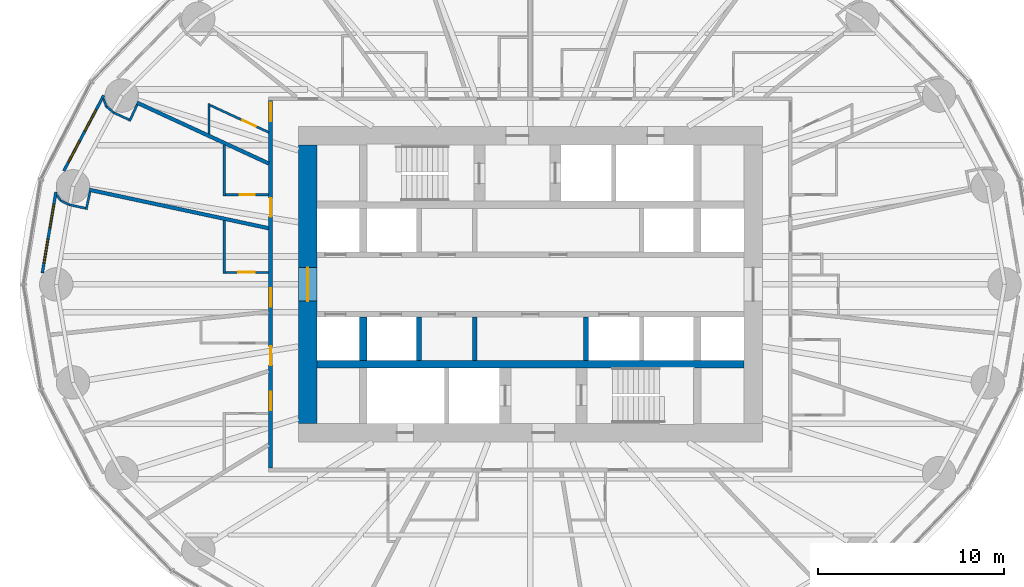
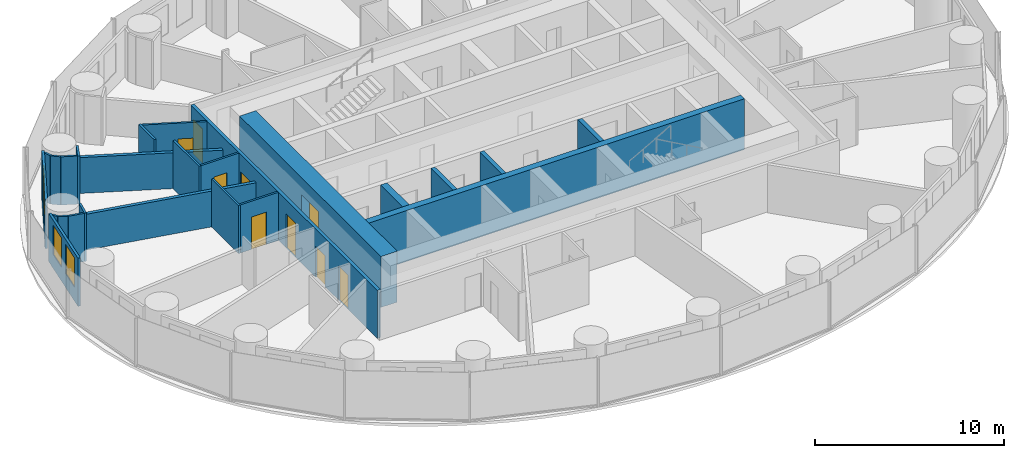
# One storey, part 7 of 13: 25 walls, 9 doors, 4 windows, 13 openings.
"""IFC4 building model written with IfcOpenShell, lengths in metres."""

import ifcopenshell
import ifcopenshell.guid

model = None  # the IFC model being written
_history = None  # IfcOwnerHistory: only IFC2X3 demands one
_inside = {}  # id of a spatial element -> (the spatial element, [elements in it])
_under = {}  # id of a project, library or spatial element -> (it, [spatial elements below it])
_declared = {}  # id of a project -> (the project, [libraries it declares])
_typed = {}  # id of a type object -> (the type object, [elements of that type])
_made_of = {}  # id of a material, layer set ... -> (it, [elements and type objects made of it])


def new_model(schema):
    """Start an empty IFC model of exactly this schema.

    Asked for "IFC4X3", IfcOpenShell would pick the latest addendum, in which some entities
    have other attributes; the version numbers below select the first issue.
    IFC2X3 requires an IfcOwnerHistory on every rooted entity: one is made here for all.
    """
    global model, _history
    if schema == "IFC4X3":
        model = ifcopenshell.file(schema_version=(4, 3, 0, 0))
    else:
        model = ifcopenshell.file(schema=schema)
    _inside.clear()
    _under.clear()
    _declared.clear()
    _typed.clear()
    _made_of.clear()
    _history = None
    if model.schema == "IFC2X3":
        org = make("IfcOrganization", Name="unknown")
        user = make(
            "IfcPersonAndOrganization",
            ThePerson=make("IfcPerson", FamilyName="unknown"),
            TheOrganization=org,
        )
        app = make(
            "IfcApplication",
            ApplicationDeveloper=org,
            Version="unknown",
            ApplicationFullName="unknown",
            ApplicationIdentifier="unknown",
        )
        _history = make(
            "IfcOwnerHistory",
            OwningUser=user,
            OwningApplication=app,
            ChangeAction="ADDED",
            CreationDate=0,
        )
    return model


def make(cls, **values):
    """One entity of the class cls with the attributes given. An attribute that is None is left unset."""
    return model.create_entity(
        cls, **{name: value for name, value in values.items() if value is not None}
    )


def rooted(cls, **values):
    """An entity with a GlobalId (a new one), such as an element, a storey or a relation."""
    return make(cls, GlobalId=ifcopenshell.guid.new(), OwnerHistory=_history, **values)


def si_unit(unit_type, name, prefix=None):
    """IfcSIUnit, for example si_unit("LENGTHUNIT", "METRE", prefix="MILLI")."""
    return make("IfcSIUnit", UnitType=unit_type, Prefix=prefix, Name=name)


def assignment(units):
    """IfcUnitAssignment: the units of a project."""
    return None if units is None else make("IfcUnitAssignment", Units=units)


def point(xyz):
    """IfcCartesianPoint."""
    return None if xyz is None else make("IfcCartesianPoint", Coordinates=xyz)


def direction(xyz):
    """IfcDirection."""
    return None if xyz is None else make("IfcDirection", DirectionRatios=xyz)


def frame(location, z_axis=None, x_axis=None):
    """IfcAxis2Placement3D, a coordinate frame: its origin and axes. An axis left out is left unset."""
    return make(
        "IfcAxis2Placement3D",
        Location=point(location),
        Axis=direction(z_axis),
        RefDirection=direction(x_axis),
    )


def frame_2d(location, x_axis=None):
    """IfcAxis2Placement2D, a coordinate frame in the plane: its origin and x axis."""
    return make(
        "IfcAxis2Placement2D", Location=point(location), RefDirection=direction(x_axis)
    )


def origin():
    """The frame at (0, 0, 0) with its axes left unset."""
    return frame((0.0, 0.0, 0.0))


def place(relative_to, where):
    """IfcLocalPlacement: puts the frame where relative to a parent placement (None: the world)."""
    return make(
        "IfcLocalPlacement", PlacementRelTo=relative_to, RelativePlacement=where
    )


def context(
    kind, dimensions, precision=None, world=None, true_north=None, identifier=None
):
    """IfcGeometricRepresentationContext, for example the 3D "Model" context."""
    return make(
        "IfcGeometricRepresentationContext",
        ContextIdentifier=identifier,
        ContextType=kind,
        CoordinateSpaceDimension=dimensions,
        Precision=precision,
        WorldCoordinateSystem=world,
        TrueNorth=true_north,
    )


def subcontext(parent, identifier, kind, view, scale=None):
    """IfcGeometricRepresentationSubContext, for example "Body" below "Model"."""
    return make(
        "IfcGeometricRepresentationSubContext",
        ContextIdentifier=identifier,
        ContextType=kind,
        ParentContext=parent,
        TargetScale=scale,
        TargetView=view,
    )


def project(units=None, contexts=None):
    """IfcProject with its units and contexts."""
    return rooted(
        "IfcProject",
        Name="project",
        RepresentationContexts=contexts,
        UnitsInContext=assignment(units),
    )


def spatial(cls, under=None, at=None, **own):
    """A site, building, storey or space (cls), placed at a placement, below another one or the project."""
    s = rooted(cls, ObjectPlacement=at, **own)
    if under is not None:
        _under.setdefault(under.id(), (under, []))[1].append(s)
    return s


def profile(cls, at=None, kind="AREA", **sizes):
    """A parametric profile (cls). Its sizes go by their IFC names, for example OverallWidth=200.0."""
    return make(cls, ProfileType=kind, Position=at, **sizes)


def rectangle(**sizes):
    """IfcRectangleProfileDef."""
    return profile("IfcRectangleProfileDef", **sizes)


def extrude(swept, where, along, depth):
    """IfcExtrudedAreaSolid: the profile swept, set in the frame where, extruded along a direction by depth."""
    return make(
        "IfcExtrudedAreaSolid",
        SweptArea=swept,
        Position=where,
        ExtrudedDirection=direction(along),
        Depth=depth,
    )


def shape(context_of_items, identifier, shape_type, items):
    """IfcShapeRepresentation: the items that make up one representation, for example the "Body"."""
    return make(
        "IfcShapeRepresentation",
        ContextOfItems=context_of_items,
        RepresentationIdentifier=identifier,
        RepresentationType=shape_type,
        Items=items,
    )


def material(Name=None, Category=None):
    """IfcMaterial."""
    return make("IfcMaterial", Name=Name, Category=Category)


def layer(
    of_material, thickness, ventilated=None, Name=None, Category=None, Priority=None
):
    """IfcMaterialLayer: one layer of a wall or slab, of a material (None: an air gap)."""
    return make(
        "IfcMaterialLayer",
        Material=of_material,
        LayerThickness=thickness,
        IsVentilated=ventilated,
        Name=Name,
        Category=Category,
        Priority=Priority,
    )


def layer_set(layers, Name=None):
    """IfcMaterialLayerSet."""
    return make("IfcMaterialLayerSet", MaterialLayers=layers, LayerSetName=Name)


def made_of(thing, what):
    """Note that an element or type object is made of a material, layer set ...; save() writes the relation."""
    if what is not None:
        _made_of.setdefault(what.id(), (what, []))[1].append(thing)
    return thing


def type_object(cls, material=None, **own):
    """A type object (cls), such as IfcWallType, which elements share."""
    return made_of(rooted(cls, **own), material)


def element(
    cls,
    number,
    at=None,
    inside=None,
    cuts=None,
    type_object=None,
    material=None,
    context=None,
    identifier="Body",
    shape_type=None,
    held_by="IfcProductDefinitionShape",
    body=None,
    shapes=None,
    **own,
):
    """One element of the class cls, such as IfcWall. Its Tag is "e" and its number.

    at: its placement. inside: the storey or other place that contains it. cuts: it is an
    opening in that element (IfcRelVoidsElement). A single representation is given by context,
    identifier, shape_type and body (its items); several are given by shapes. held_by: the class
    of the entity that holds the representations. save() writes the other relations.
    """
    e = rooted(cls, Tag="e%d" % number, ObjectPlacement=at, **own)
    if body is not None:
        shapes = [shape(context, identifier, shape_type, body)]
    if shapes is not None:
        e.Representation = make(held_by, Representations=shapes)
    if inside is not None:
        _inside.setdefault(inside.id(), (inside, []))[1].append(e)
    if cuts is not None:
        rooted(
            "IfcRelVoidsElement", RelatingBuildingElement=cuts, RelatedOpeningElement=e
        )
    if type_object is not None:
        _typed.setdefault(type_object.id(), (type_object, []))[1].append(e)
    return made_of(e, material)


def fill(opening, filler):
    """IfcRelFillsElement: the door or window that sits in an opening."""
    return rooted(
        "IfcRelFillsElement",
        RelatingOpeningElement=opening,
        RelatedBuildingElement=filler,
    )


def aggregate(whole, parts):
    """IfcRelAggregates: a whole, such as a stair, and the parts it consists of."""
    return rooted("IfcRelAggregates", RelatingObject=whole, RelatedObjects=parts)


def save(model, path):
    """Write the relations noted so far, then the file.

    IfcRelAggregates (storeys below a building ...), IfcRelContainedInSpatialStructure (elements
    in a storey), IfcRelDefinesByType, IfcRelAssociatesMaterial and IfcRelDeclares: one each for
    every whole, place, type object, material and project.
    """
    for whole, parts in _under.values():
        aggregate(whole, parts)
    for where, things in _inside.values():
        rooted(
            "IfcRelContainedInSpatialStructure",
            RelatedElements=things,
            RelatingStructure=where,
        )
    for kind, things in _typed.values():
        rooted("IfcRelDefinesByType", RelatedObjects=things, RelatingType=kind)
    for what, things in _made_of.values():
        rooted("IfcRelAssociatesMaterial", RelatedObjects=things, RelatingMaterial=what)
    for by, libraries in _declared.values():
        rooted("IfcRelDeclares", RelatingContext=by, RelatedDefinitions=libraries)
    model.write(path)


model = new_model("IFC4")

# Units and contexts
model_context = context("Model", 3, precision=1e-05, world=origin(), true_north=direction((0.0, 1.0)))
body_context = subcontext(model_context, "Body", "Model", "MODEL_VIEW")
ifc_project = project(units=[si_unit("LENGTHUNIT", "METRE"), si_unit("AREAUNIT", "SQUARE_METRE"), si_unit("VOLUMEUNIT", "CUBIC_METRE"), si_unit("PLANEANGLEUNIT", "RADIAN"), si_unit("MASSUNIT", "GRAM", prefix="KILO")], contexts=[model_context])

# Site, building, storey
site_placement = place(None, origin())
site = spatial("IfcSite", under=ifc_project, at=site_placement, CompositionType="ELEMENT")
building_placement = place(site_placement, origin())
building = spatial("IfcBuilding", under=site, at=building_placement, Name="Hankou Lantern Tower", CompositionType="ELEMENT")
storey_placement = place(building_placement, frame((0.0, 0.0, 39.300048828125)))
storey = spatial("IfcBuildingStorey", under=building, at=storey_placement, Name="L08", CompositionType="ELEMENT", Elevation=39.300048828125)

# Wall, opening, door
ifc_material_1 = material(Name="Concrete C60", Category="concrete")
ifc_layer_1 = layer(ifc_material_1, 1.0)
ifc_layer_set_1 = layer_set([ifc_layer_1], Name="Concrete C60")
wall_type_1 = type_object("IfcWallType", Name="CW1 CORE WALL 1000", PredefinedType="SHEAR", material=ifc_layer_set_1)
wall_1_placement = place(storey_placement, frame((-12.0, 7.5, 0.0), z_axis=(0.0, 0.0, 1.0), x_axis=(0.0, -1.0, 0.0)))
wall_1 = element("IfcWall", 1, at=wall_1_placement, inside=storey, type_object=wall_type_1, Name="Core wall west L08", PredefinedType="SHEAR", context=body_context, shape_type="SweptSolid", body=[
    extrude(rectangle(XDim=15.0, YDim=1.0, at=frame_2d((7.5, 0.0))), origin(), (0.0, 0.0, 1.0), 3.300048828125),
])
opening_1_placement = place(wall_1_placement, frame((6.60009765625, 0.0, 0.0)))
opening_1 = element("IfcOpeningElement", 2, at=opening_1_placement, cuts=wall_1, Name="Opening D6", PredefinedType="OPENING", context=body_context, shape_type="SweptSolid", body=[
    extrude(rectangle(XDim=1.800048828125, YDim=2.199951171875, at=frame_2d((0.89990234375, 1.10009765625))), frame((0.0, 0.510009765625, 0.0), z_axis=(0.0, -1.0, 0.0), x_axis=(1.0, 0.0, 0.0)), (0.0, 0.0, 1.0), 1.02001953125),
])
ifc_material_2 = material(Name="Steel door leaf", Category="steel")
door_type_1 = type_object("IfcDoorType", Name="D6 LIFT LOBBY DOOR 1800X2200", OperationType="DOUBLE_DOOR_DOUBLE_SWING", PredefinedType="DOOR", material=ifc_material_2)
door_1_placement = place(opening_1_placement, origin())
door_1 = element("IfcDoor", 3, at=door_1_placement, inside=storey, type_object=door_type_1, Name="Lift lobby west door", OperationType="DOUBLE_DOOR_DOUBLE_SWING", OverallHeight=2.199951171875, OverallWidth=1.800048828125, PredefinedType="DOOR", context=body_context, shape_type="SweptSolid", body=[
    extrude(rectangle(XDim=1.800048828125, YDim=2.199951171875, at=frame_2d((0.89990234375, 1.10009765625))), frame((0.0, 0.02490234375, 0.0), z_axis=(0.0, -1.0, 0.0), x_axis=(1.0, 0.0, 0.0)), (0.0, 0.0, 1.0), 0.050048828125),
])
fill(opening_1, door_1)

# Walls
ifc_material_3 = material(Name="Concrete C60", Category="concrete")
ifc_layer_2 = layer(ifc_material_3, 0.39990234375)
ifc_layer_set_2 = layer_set([ifc_layer_2], Name="Concrete C60")
wall_type_2 = type_object("IfcWallType", Name="CW4 CORE CROSS WALL 400", PredefinedType="SHEAR", material=ifc_layer_set_2)
wall_2_placement = place(storey_placement, frame((-11.5, -4.300048828125, 0.0), z_axis=(0.0, 0.0, 1.0), x_axis=(1.0, 0.0, 0.0)))
element("IfcWall", 4, at=wall_2_placement, inside=storey, type_object=wall_type_2, Name="Core band wall south L08", PredefinedType="SHEAR", context=body_context, shape_type="SweptSolid", body=[
    extrude(rectangle(XDim=23.0, YDim=0.39990234375, at=frame_2d((11.5, 0.0))), origin(), (0.0, 0.0, 1.0), 3.300048828125),
])
wall_3_placement = place(storey_placement, frame((-9.0, -4.10009765625, 0.0), z_axis=(0.0, 0.0, 1.0), x_axis=(0.0, 1.0, 0.0)))
element("IfcWall", 5, at=wall_3_placement, inside=storey, type_object=wall_type_2, Name="Core strip wall L08", PredefinedType="SHEAR", context=body_context, shape_type="SweptSolid", body=[
    extrude(rectangle(XDim=2.35009765625, YDim=0.39990234375, at=frame_2d((1.175048828125, 0.0))), origin(), (0.0, 0.0, 1.0), 3.300048828125),
])

# Wall, openings, windows
ifc_material_4 = material(Name="Aluminium spandrel panel on steel studs", Category="steel")
ifc_layer_3 = layer(ifc_material_4, 0.14990234375)
ifc_layer_set_3 = layer_set([ifc_layer_3], Name="Aluminium spandrel panel on steel studs")
wall_type_3 = type_object("IfcWallType", Name="EW1 INNER SKIN WALL 150", PredefinedType="ELEMENTEDWALL", material=ifc_layer_set_3)
wall_4_placement = place(storey_placement, frame((-22.986083984375, 10.185302734375, 0.0), z_axis=(0.0, 0.0, 1.0), x_axis=(-0.467303182954, -0.884097129959, 0.0)))
wall_4 = element("IfcWall", 6, at=wall_4_placement, inside=storey, type_object=wall_type_3, Name="Inner skin R11-R12 L08", PredefinedType="ELEMENTEDWALL", context=body_context, shape_type="SweptSolid", body=[
    extrude(rectangle(XDim=4.6064453125, YDim=0.14990234375, at=frame_2d((2.30322265625, 0.0))), origin(), (0.0, 0.0, 1.0), 3.119873046875),
])
opening_2_placement = place(wall_4_placement, frame((0.874755859375, 0.0, 0.89990234375)))
opening_2 = element("IfcOpeningElement", 7, at=opening_2_placement, cuts=wall_4, Name="Opening W9", PredefinedType="OPENING", context=body_context, shape_type="SweptSolid", body=[
    extrude(rectangle(XDim=1.300048828125, YDim=1.89990234375, at=frame_2d((0.64990234375, 0.949951171875))), frame((0.0, 0.0849609375, 0.0), z_axis=(0.0, -1.0, 0.0), x_axis=(1.0, 0.0, 0.0)), (0.0, 0.0, 1.0), 0.169921875),
])
opening_3_placement = place(wall_4_placement, frame((2.77490234375, 0.0, 0.89990234375)))
opening_3 = element("IfcOpeningElement", 8, at=opening_3_placement, cuts=wall_4, Name="Opening W9", PredefinedType="OPENING", context=body_context, shape_type="SweptSolid", body=[
    extrude(rectangle(XDim=1.300048828125, YDim=1.89990234375, at=frame_2d((0.64990234375, 0.949951171875))), frame((0.0, 0.0849609375, 0.0), z_axis=(0.0, -1.0, 0.0), x_axis=(1.0, 0.0, 0.0)), (0.0, 0.0, 1.0), 0.169921875),
])
ifc_material_5 = material(Name="Aluminium framed double glazed window", Category="aluminium")
window_type = type_object("IfcWindowType", Name="W9 GUEST ROOM WINDOW 1300X1900", PartitioningType="DOUBLE_PANEL_VERTICAL", PredefinedType="WINDOW", material=ifc_material_5)
window_1_placement = place(opening_2_placement, origin())
window_1 = element("IfcWindow", 9, at=window_1_placement, inside=storey, type_object=window_type, Name="Window R11.1 L08", OverallHeight=1.89990234375, OverallWidth=1.300048828125, PartitioningType="SINGLE_PANEL", PredefinedType="WINDOW", context=body_context, shape_type="SweptSolid", body=[
    extrude(rectangle(XDim=1.300048828125, YDim=1.89990234375, at=frame_2d((0.64990234375, 0.949951171875))), frame((0.0, 0.030029296875, 0.0), z_axis=(0.0, -1.0, 0.0), x_axis=(1.0, 0.0, 0.0)), (0.0, 0.0, 1.0), 0.06005859375),
])
fill(opening_2, window_1)
window_2_placement = place(opening_3_placement, origin())
window_2 = element("IfcWindow", 10, at=window_2_placement, inside=storey, type_object=window_type, Name="Window R11.2 L08", OverallHeight=1.89990234375, OverallWidth=1.300048828125, PartitioningType="SINGLE_PANEL", PredefinedType="WINDOW", context=body_context, shape_type="SweptSolid", body=[
    extrude(rectangle(XDim=1.300048828125, YDim=1.89990234375, at=frame_2d((0.64990234375, 0.949951171875))), frame((0.0, 0.030029296875, 0.0), z_axis=(0.0, -1.0, 0.0), x_axis=(1.0, 0.0, 0.0)), (0.0, 0.0, 1.0), 0.06005859375),
])
fill(opening_3, window_2)

wall_5_placement = place(storey_placement, frame((-25.56396484375, 4.9775390625, 0.0), z_axis=(0.0, 0.0, 1.0), x_axis=(-0.165641751141, -0.986185991727, 0.0)))
wall_5 = element("IfcWall", 11, at=wall_5_placement, inside=storey, type_object=wall_type_3, Name="Inner skin R12-R13 L08", PredefinedType="ELEMENTEDWALL", context=body_context, shape_type="SweptSolid", body=[
    extrude(rectangle(XDim=4.427734375, YDim=0.14990234375, at=frame_2d((2.2138671875, 0.0))), origin(), (0.0, 0.0, 1.0), 3.119873046875),
])
opening_4_placement = place(wall_5_placement, frame((0.677734375, 0.0, 0.89990234375)))
opening_4 = element("IfcOpeningElement", 12, at=opening_4_placement, cuts=wall_5, Name="Opening W9", PredefinedType="OPENING", context=body_context, shape_type="SweptSolid", body=[
    extrude(rectangle(XDim=1.300048828125, YDim=1.89990234375, at=frame_2d((0.64990234375, 0.949951171875))), frame((0.0, 0.0849609375, 0.0), z_axis=(0.0, -1.0, 0.0), x_axis=(1.0, 0.0, 0.0)), (0.0, 0.0, 1.0), 0.169921875),
])
opening_5_placement = place(wall_5_placement, frame((2.57763671875, 0.0, 0.89990234375)))
opening_5 = element("IfcOpeningElement", 13, at=opening_5_placement, cuts=wall_5, Name="Opening W9", PredefinedType="OPENING", context=body_context, shape_type="SweptSolid", body=[
    extrude(rectangle(XDim=1.300048828125, YDim=1.89990234375, at=frame_2d((0.64990234375, 0.949951171875))), frame((0.0, 0.0849609375, 0.0), z_axis=(0.0, -1.0, 0.0), x_axis=(1.0, 0.0, 0.0)), (0.0, 0.0, 1.0), 0.169921875),
])
window_3_placement = place(opening_4_placement, origin())
window_3 = element("IfcWindow", 14, at=window_3_placement, inside=storey, type_object=window_type, Name="Window R12.1 L08", OverallHeight=1.89990234375, OverallWidth=1.300048828125, PartitioningType="SINGLE_PANEL", PredefinedType="WINDOW", context=body_context, shape_type="SweptSolid", body=[
    extrude(rectangle(XDim=1.300048828125, YDim=1.89990234375, at=frame_2d((0.64990234375, 0.949951171875))), frame((0.0, 0.030029296875, 0.0), z_axis=(0.0, -1.0, 0.0), x_axis=(1.0, 0.0, 0.0)), (0.0, 0.0, 1.0), 0.06005859375),
])
fill(opening_4, window_3)
window_4_placement = place(opening_5_placement, origin())
window_4 = element("IfcWindow", 15, at=window_4_placement, inside=storey, type_object=window_type, Name="Window R12.2 L08", OverallHeight=1.89990234375, OverallWidth=1.300048828125, PartitioningType="SINGLE_PANEL", PredefinedType="WINDOW", context=body_context, shape_type="SweptSolid", body=[
    extrude(rectangle(XDim=1.300048828125, YDim=1.89990234375, at=frame_2d((0.64990234375, 0.949951171875))), frame((0.0, 0.030029296875, 0.0), z_axis=(0.0, -1.0, 0.0), x_axis=(1.0, 0.0, 0.0)), (0.0, 0.0, 1.0), 0.06005859375),
])
fill(opening_5, window_4)

# Walls
ifc_material_6 = material(Name="Masonry lightweight concrete block", Category="masonry")
ifc_layer_4 = layer(ifc_material_6, 0.199951171875)
ifc_layer_set_4 = layer_set([ifc_layer_4], Name="Masonry lightweight concrete block")
wall_type_4 = type_object("IfcWallType", Name="IW1 GUEST ROOM PARTY WALL 200", PredefinedType="PARTITIONING", material=ifc_layer_set_4)
wall_6_placement = place(storey_placement, frame((-14.10009765625, 6.512451171875, 0.0), z_axis=(0.0, 0.0, 1.0), x_axis=(-0.907842433118, 0.41931147925, 0.0)))
element("IfcWall", 16, at=wall_6_placement, inside=storey, type_object=wall_type_4, Name="Party wall R11", PredefinedType="PARTITIONING", context=body_context, shape_type="SweptSolid", body=[
    extrude(rectangle(XDim=7.822998046875, YDim=0.199951171875, at=frame_2d((3.91162109375, 0.0))), origin(), (0.0, 0.0, 1.0), 2.320068359375),
])
wall_7_placement = place(storey_placement, frame((-14.10009765625, 3.0224609375, 0.0), z_axis=(0.0, 0.0, 1.0), x_axis=(-0.977786510688, 0.209603290805, 0.0)))
element("IfcWall", 17, at=wall_7_placement, inside=storey, type_object=wall_type_4, Name="Party wall R12", PredefinedType="PARTITIONING", context=body_context, shape_type="SweptSolid", body=[
    extrude(rectangle(XDim=9.88671875, YDim=0.199951171875, at=frame_2d((4.943359375, 0.0))), origin(), (0.0, 0.0, 1.0), 2.320068359375),
])

# Wall, openings, doors
ifc_material_7 = material(Name="Masonry lightweight concrete block", Category="masonry")
ifc_layer_5 = layer(ifc_material_7, 0.199951171875)
ifc_layer_set_5 = layer_set([ifc_layer_5], Name="Masonry lightweight concrete block")
wall_type_5 = type_object("IfcWallType", Name="IW2 CORRIDOR WALL 200", PredefinedType="PARTITIONING", material=ifc_layer_set_5)
wall_8_placement = place(storey_placement, frame((-14.0, 9.89990234375, 0.0), z_axis=(0.0, 0.0, 1.0), x_axis=(0.0, -1.0, 0.0)))
wall_8 = element("IfcWall", 18, at=wall_8_placement, inside=storey, type_object=wall_type_5, Name="Corridor wall west", PredefinedType="PARTITIONING", context=body_context, shape_type="SweptSolid", body=[
    extrude(rectangle(XDim=19.7998046875, YDim=0.199951171875, at=frame_2d((9.89990234375, 0.0))), origin(), (0.0, 0.0, 1.0), 3.119873046875),
])
opening_6_placement = place(wall_8_placement, frame((0.1025390625, 0.0, 0.0)))
opening_6 = element("IfcOpeningElement", 19, at=opening_6_placement, cuts=wall_8, Name="Opening D1", PredefinedType="OPENING", context=body_context, shape_type="SweptSolid", body=[
    extrude(rectangle(XDim=1.0, YDim=2.199951171875, at=frame_2d((0.5, 1.10009765625))), frame((0.0, 0.10986328125, 0.0), z_axis=(0.0, -1.0, 0.0), x_axis=(1.0, 0.0, 0.0)), (0.0, 0.0, 1.0), 0.219970703125),
])
opening_7_placement = place(wall_8_placement, frame((5.25244140625, 0.0, 0.0)))
opening_7 = element("IfcOpeningElement", 20, at=opening_7_placement, cuts=wall_8, Name="Opening D35", PredefinedType="OPENING", context=body_context, shape_type="SweptSolid", body=[
    extrude(rectangle(XDim=1.0, YDim=2.0, at=frame_2d((0.5, 1.0))), frame((0.0, 0.10986328125, 0.0), z_axis=(0.0, -1.0, 0.0), x_axis=(1.0, 0.0, 0.0)), (0.0, 0.0, 1.0), 0.219970703125),
])
opening_8_placement = place(wall_8_placement, frame((10.117431640625, 0.0, 0.0)))
opening_8 = element("IfcOpeningElement", 21, at=opening_8_placement, cuts=wall_8, Name="Opening D1", PredefinedType="OPENING", context=body_context, shape_type="SweptSolid", body=[
    extrude(rectangle(XDim=1.0, YDim=2.199951171875, at=frame_2d((0.5, 1.10009765625))), frame((0.0, 0.10986328125, 0.0), z_axis=(0.0, -1.0, 0.0), x_axis=(1.0, 0.0, 0.0)), (0.0, 0.0, 1.0), 0.219970703125),
])
opening_9_placement = place(wall_8_placement, frame((13.2470703125, 0.0, 0.0)))
opening_9 = element("IfcOpeningElement", 22, at=opening_9_placement, cuts=wall_8, Name="Opening D35", PredefinedType="OPENING", context=body_context, shape_type="SweptSolid", body=[
    extrude(rectangle(XDim=1.0, YDim=2.0, at=frame_2d((0.5, 1.0))), frame((0.0, 0.10986328125, 0.0), z_axis=(0.0, -1.0, 0.0), x_axis=(1.0, 0.0, 0.0)), (0.0, 0.0, 1.0), 0.219970703125),
])
opening_10_placement = place(wall_8_placement, frame((15.678955078125, 0.0, 0.0)))
opening_10 = element("IfcOpeningElement", 23, at=opening_10_placement, cuts=wall_8, Name="Opening D1", PredefinedType="OPENING", context=body_context, shape_type="SweptSolid", body=[
    extrude(rectangle(XDim=1.0, YDim=2.199951171875, at=frame_2d((0.5, 1.10009765625))), frame((0.0, 0.10986328125, 0.0), z_axis=(0.0, -1.0, 0.0), x_axis=(1.0, 0.0, 0.0)), (0.0, 0.0, 1.0), 0.219970703125),
])
ifc_material_8 = material(Name="Steel door leaf", Category="steel")
door_type_2 = type_object("IfcDoorType", Name="D1 GUEST ROOM DOOR 1000X2200", OperationType="SINGLE_SWING_LEFT", PredefinedType="DOOR", material=ifc_material_8)
door_2_placement = place(opening_6_placement, origin())
door_2 = element("IfcDoor", 24, at=door_2_placement, inside=storey, type_object=door_type_2, Name="Guest room door 0810", OperationType="SINGLE_SWING_LEFT", OverallHeight=2.199951171875, OverallWidth=1.0, PredefinedType="DOOR", context=body_context, shape_type="SweptSolid", body=[
    extrude(rectangle(XDim=1.0, YDim=2.199951171875, at=frame_2d((0.5, 1.10009765625))), frame((0.0, 0.02490234375, 0.0), z_axis=(0.0, -1.0, 0.0), x_axis=(1.0, 0.0, 0.0)), (0.0, 0.0, 1.0), 0.050048828125),
])
fill(opening_6, door_2)
door_3_placement = place(opening_8_placement, origin())
door_3 = element("IfcDoor", 25, at=door_3_placement, inside=storey, type_object=door_type_2, Name="Guest room door 0812", OperationType="SINGLE_SWING_RIGHT", OverallHeight=2.199951171875, OverallWidth=1.0, PredefinedType="DOOR", context=body_context, shape_type="SweptSolid", body=[
    extrude(rectangle(XDim=1.0, YDim=2.199951171875, at=frame_2d((0.5, 1.10009765625))), frame((0.0, 0.02490234375, 0.0), z_axis=(0.0, -1.0, 0.0), x_axis=(1.0, 0.0, 0.0)), (0.0, 0.0, 1.0), 0.050048828125),
])
fill(opening_8, door_3)
door_4_placement = place(opening_10_placement, origin())
door_4 = element("IfcDoor", 26, at=door_4_placement, inside=storey, type_object=door_type_2, Name="Guest room door 0814", OperationType="SINGLE_SWING_RIGHT", OverallHeight=2.199951171875, OverallWidth=1.0, PredefinedType="DOOR", context=body_context, shape_type="SweptSolid", body=[
    extrude(rectangle(XDim=1.0, YDim=2.199951171875, at=frame_2d((0.5, 1.10009765625))), frame((0.0, 0.02490234375, 0.0), z_axis=(0.0, -1.0, 0.0), x_axis=(1.0, 0.0, 0.0)), (0.0, 0.0, 1.0), 0.050048828125),
])
fill(opening_10, door_4)
ifc_material_9 = material(Name="Steel door leaf", Category="steel")
door_type_3 = type_object("IfcDoorType", Name="D35 GUEST ROOM DOOR 1000X2000", OperationType="SINGLE_SWING_LEFT", PredefinedType="DOOR", material=ifc_material_9)
door_5_placement = place(opening_7_placement, origin())
door_5 = element("IfcDoor", 27, at=door_5_placement, inside=storey, type_object=door_type_3, Name="Guest room door 0811", OperationType="SINGLE_SWING_LEFT", OverallHeight=2.0, OverallWidth=1.0, PredefinedType="DOOR", context=body_context, shape_type="SweptSolid", body=[
    extrude(rectangle(XDim=1.0, YDim=2.0, at=frame_2d((0.5, 1.0))), frame((0.0, 0.02490234375, 0.0), z_axis=(0.0, -1.0, 0.0), x_axis=(1.0, 0.0, 0.0)), (0.0, 0.0, 1.0), 0.050048828125),
])
fill(opening_7, door_5)
door_6_placement = place(opening_9_placement, origin())
door_6 = element("IfcDoor", 28, at=door_6_placement, inside=storey, type_object=door_type_3, Name="Guest room door 0813", OperationType="SINGLE_SWING_RIGHT", OverallHeight=2.0, OverallWidth=1.0, PredefinedType="DOOR", context=body_context, shape_type="SweptSolid", body=[
    extrude(rectangle(XDim=1.0, YDim=2.0, at=frame_2d((0.5, 1.0))), frame((0.0, 0.02490234375, 0.0), z_axis=(0.0, -1.0, 0.0), x_axis=(1.0, 0.0, 0.0)), (0.0, 0.0, 1.0), 0.050048828125),
])
fill(opening_9, door_6)

# Wall
ifc_material_10 = material(Name="Masonry lightweight concrete block", Category="masonry")
ifc_layer_6 = layer(ifc_material_10, 0.1201171875)
ifc_layer_set_6 = layer_set([ifc_layer_6], Name="Masonry lightweight concrete block")
wall_type_6 = type_object("IfcWallType", Name="IW3 BATHROOM WALL 120", PredefinedType="PARTITIONING", material=ifc_layer_set_6)
wall_9_placement = place(storey_placement, frame((-17.32275390625, 8.10107421875, 0.0), z_axis=(0.0, 0.0, 1.0), x_axis=(0.0, 1.0, 0.0)))
element("IfcWall", 29, at=wall_9_placement, inside=storey, type_object=wall_type_6, Name="Box wall 0810 1", PredefinedType="PARTITIONING", context=body_context, shape_type="SweptSolid", body=[
    extrude(rectangle(XDim=1.639892578125, YDim=0.1201171875, at=frame_2d((0.81982421875, 0.0))), origin(), (0.0, 0.0, 1.0), 3.119873046875),
])

# Wall, opening, door
wall_10_placement = place(storey_placement, frame((-14.10009765625, 8.192626953125, 0.0), z_axis=(0.0, 0.0, 1.0), x_axis=(-0.907836493557, 0.419324338628, 0.0)))
wall_10 = element("IfcWall", 30, at=wall_10_placement, inside=storey, type_object=wall_type_6, Name="Box wall 0810 1", PredefinedType="PARTITIONING", context=body_context, shape_type="SweptSolid", body=[
    extrude(rectangle(XDim=3.48974609375, YDim=0.1201171875, at=frame_2d((1.744873046875, 0.0))), origin(), (0.0, 0.0, 1.0), 3.119873046875),
])
opening_11_placement = place(wall_10_placement, frame((0.75, 0.0, 0.0)))
opening_11 = element("IfcOpeningElement", 31, at=opening_11_placement, cuts=wall_10, Name="Opening D3", PredefinedType="OPENING", context=body_context, shape_type="SweptSolid", body=[
    extrude(rectangle(XDim=0.800048828125, YDim=2.10009765625, at=frame_2d((0.39990234375, 1.050048828125))), frame((0.0, 0.070068359375, 0.0), z_axis=(0.0, -1.0, 0.0), x_axis=(1.0, 0.0, 0.0)), (0.0, 0.0, 1.0), 0.14013671875),
])
ifc_material_11 = material(Name="Timber door leaf", Category="wood")
door_type_4 = type_object("IfcDoorType", Name="D3 BATHROOM DOOR 800X2100", OperationType="SINGLE_SWING_LEFT", PredefinedType="DOOR", material=ifc_material_11)
door_7_placement = place(opening_11_placement, origin())
door_7 = element("IfcDoor", 32, at=door_7_placement, inside=storey, type_object=door_type_4, Name="En-suite bathroom 0810 door", OperationType="SINGLE_SWING_LEFT", OverallHeight=2.10009765625, OverallWidth=0.800048828125, PredefinedType="DOOR", context=body_context, shape_type="SweptSolid", body=[
    extrude(rectangle(XDim=0.800048828125, YDim=2.10009765625, at=frame_2d((0.39990234375, 1.050048828125))), frame((0.0, 0.02490234375, 0.0), z_axis=(0.0, -1.0, 0.0), x_axis=(1.0, 0.0, 0.0)), (0.0, 0.0, 1.0), 0.050048828125),
])
fill(opening_11, door_7)

# Wall
wall_11_placement = place(storey_placement, frame((-16.5, 7.52099609375, 0.0), z_axis=(0.0, 0.0, 1.0), x_axis=(0.0, -1.0, 0.0)))
element("IfcWall", 33, at=wall_11_placement, inside=storey, type_object=wall_type_6, Name="Box wall 0811 1", PredefinedType="PARTITIONING", context=body_context, shape_type="SweptSolid", body=[
    extrude(rectangle(XDim=2.74853515625, YDim=0.1201171875, at=frame_2d((1.374267578125, 0.0))), origin(), (0.0, 0.0, 1.0), 3.119873046875),
])

# Wall, opening, door
wall_12_placement = place(storey_placement, frame((-14.10009765625, 4.83251953125, 0.0), z_axis=(0.0, 0.0, 1.0), x_axis=(-1.0, 0.0, 0.0)))
wall_12 = element("IfcWall", 34, at=wall_12_placement, inside=storey, type_object=wall_type_6, Name="Box wall 0811 1", PredefinedType="PARTITIONING", context=body_context, shape_type="SweptSolid", body=[
    extrude(rectangle(XDim=2.33984375, YDim=0.1201171875, at=frame_2d((1.169921875, 0.0))), origin(), (0.0, 0.0, 1.0), 3.119873046875),
])
opening_12_placement = place(wall_12_placement, frame((0.75, 0.0, 0.0)))
opening_12 = element("IfcOpeningElement", 35, at=opening_12_placement, cuts=wall_12, Name="Opening D3", PredefinedType="OPENING", context=body_context, shape_type="SweptSolid", body=[
    extrude(rectangle(XDim=0.800048828125, YDim=2.10009765625, at=frame_2d((0.39990234375, 1.050048828125))), frame((0.0, 0.070068359375, 0.0), z_axis=(0.0, -1.0, 0.0), x_axis=(1.0, 0.0, 0.0)), (0.0, 0.0, 1.0), 0.14013671875),
])
door_8_placement = place(opening_12_placement, origin())
door_8 = element("IfcDoor", 36, at=door_8_placement, inside=storey, type_object=door_type_4, Name="En-suite bathroom 0811 door", OperationType="SINGLE_SWING_LEFT", OverallHeight=2.10009765625, OverallWidth=0.800048828125, PredefinedType="DOOR", context=body_context, shape_type="SweptSolid", body=[
    extrude(rectangle(XDim=0.800048828125, YDim=2.10009765625, at=frame_2d((0.39990234375, 1.050048828125))), frame((0.0, 0.02490234375, 0.0), z_axis=(0.0, -1.0, 0.0), x_axis=(1.0, 0.0, 0.0)), (0.0, 0.0, 1.0), 0.050048828125),
])
fill(opening_12, door_8)

# Wall
wall_13_placement = place(storey_placement, frame((-16.5, 3.43701171875, 0.0), z_axis=(0.0, 0.0, 1.0), x_axis=(0.0, -1.0, 0.0)))
element("IfcWall", 37, at=wall_13_placement, inside=storey, type_object=wall_type_6, Name="Box wall 0812 1", PredefinedType="PARTITIONING", context=body_context, shape_type="SweptSolid", body=[
    extrude(rectangle(XDim=2.8544921875, YDim=0.1201171875, at=frame_2d((1.42724609375, 0.0))), origin(), (0.0, 0.0, 1.0), 3.119873046875),
])

# Wall, opening, door
wall_14_placement = place(storey_placement, frame((-14.10009765625, 0.642578125, 0.0), z_axis=(0.0, 0.0, 1.0), x_axis=(-1.0, 0.0, 0.0)))
wall_14 = element("IfcWall", 38, at=wall_14_placement, inside=storey, type_object=wall_type_6, Name="Box wall 0812 1", PredefinedType="PARTITIONING", context=body_context, shape_type="SweptSolid", body=[
    extrude(rectangle(XDim=2.33984375, YDim=0.1201171875, at=frame_2d((1.169921875, 0.0))), origin(), (0.0, 0.0, 1.0), 3.119873046875),
])
opening_13_placement = place(wall_14_placement, frame((0.75, 0.0, 0.0)))
opening_13 = element("IfcOpeningElement", 39, at=opening_13_placement, cuts=wall_14, Name="Opening D26", PredefinedType="OPENING", context=body_context, shape_type="SweptSolid", body=[
    extrude(rectangle(XDim=0.89990234375, YDim=2.10009765625, at=frame_2d((0.449951171875, 1.050048828125))), frame((0.0, 0.070068359375, 0.0), z_axis=(0.0, -1.0, 0.0), x_axis=(1.0, 0.0, 0.0)), (0.0, 0.0, 1.0), 0.14013671875),
])
ifc_material_12 = material(Name="Timber door leaf", Category="wood")
door_type_5 = type_object("IfcDoorType", Name="D26 ACCESSIBLE BATHROOM DOOR 900X2100", OperationType="SLIDING_TO_LEFT", PredefinedType="DOOR", material=ifc_material_12)
door_9_placement = place(opening_13_placement, origin())
door_9 = element("IfcDoor", 40, at=door_9_placement, inside=storey, type_object=door_type_5, Name="Accessible bathroom 0812 door", OperationType="SLIDING_TO_LEFT", OverallHeight=2.10009765625, OverallWidth=0.89990234375, PredefinedType="DOOR", context=body_context, shape_type="SweptSolid", body=[
    extrude(rectangle(XDim=0.89990234375, YDim=2.10009765625, at=frame_2d((0.449951171875, 1.050048828125))), frame((0.0, 0.02490234375, 0.0), z_axis=(0.0, -1.0, 0.0), x_axis=(1.0, 0.0, 0.0)), (0.0, 0.0, 1.0), 0.050048828125),
])
fill(opening_13, door_9)

# Walls
ifc_material_13 = material(Name="Masonry lightweight concrete block", Category="masonry")
ifc_layer_7 = layer(ifc_material_13, 0.1201171875)
ifc_layer_set_7 = layer_set([ifc_layer_7], Name="Masonry lightweight concrete block")
wall_type_7 = type_object("IfcWallType", Name="IW4 PARTITION 120", PredefinedType="PARTITIONING", material=ifc_layer_set_7)
wall_15_placement = place(storey_placement, frame((-21.189453125, 9.6767578125, 0.0), z_axis=(0.0, 0.0, 1.0), x_axis=(-0.419344098106, -0.907827366509, 0.0)))
element("IfcWall", 41, at=wall_15_placement, inside=storey, type_object=wall_type_7, Name="Column casing R11 return", PredefinedType="PARTITIONING", context=body_context, shape_type="SweptSolid", body=[
    extrude(rectangle(XDim=0.974609375, YDim=0.1201171875, at=frame_2d((0.4873046875, 0.0))), origin(), (0.0, 0.0, 1.0), 3.119873046875),
])
wall_16_placement = place(storey_placement, frame((-21.62744140625, 8.871826171875, 0.0), z_axis=(0.0, 0.0, 1.0), x_axis=(-0.907935564339, 0.419109783957, 0.0)))
element("IfcWall", 42, at=wall_16_placement, inside=storey, type_object=wall_type_7, Name="Column casing R11", PredefinedType="PARTITIONING", context=body_context, shape_type="SweptSolid", body=[
    extrude(rectangle(XDim=0.89990234375, YDim=0.1201171875, at=frame_2d((0.449951171875, 0.0))), origin(), (0.0, 0.0, 1.0), 3.119873046875),
])
wall_17_placement = place(storey_placement, frame((-22.444580078125, 9.2490234375, 0.0), z_axis=(0.0, 0.0, 1.0), x_axis=(-0.768335565584, 0.640047231584, 0.0)))
element("IfcWall", 43, at=wall_17_placement, inside=storey, type_object=wall_type_7, Name="Column casing R11", PredefinedType="PARTITIONING", context=body_context, shape_type="SweptSolid", body=[
    extrude(rectangle(XDim=0.525146484375, YDim=0.1201171875, at=frame_2d((0.2626953125, 0.0))), origin(), (0.0, 0.0, 1.0), 3.119873046875),
])
wall_18_placement = place(storey_placement, frame((-22.84814453125, 9.585205078125, 0.0), z_axis=(0.0, 0.0, 1.0), x_axis=(-0.345267312673, 0.938504386138, 0.0)))
element("IfcWall", 44, at=wall_18_placement, inside=storey, type_object=wall_type_7, Name="Column casing R11", PredefinedType="PARTITIONING", context=body_context, shape_type="SweptSolid", body=[
    extrude(rectangle(XDim=0.439208984375, YDim=0.1201171875, at=frame_2d((0.2197265625, 0.0))), origin(), (0.0, 0.0, 1.0), 3.119873046875),
])
wall_19_placement = place(storey_placement, frame((-23.729248046875, 4.984375, 0.0), z_axis=(0.0, 0.0, 1.0), x_axis=(-0.20968306268, -0.977769406979, 0.0)))
element("IfcWall", 45, at=wall_19_placement, inside=storey, type_object=wall_type_7, Name="Column casing R12 return", PredefinedType="PARTITIONING", context=body_context, shape_type="SweptSolid", body=[
    extrude(rectangle(XDim=0.974609375, YDim=0.1201171875, at=frame_2d((0.4873046875, 0.0))), origin(), (0.0, 0.0, 1.0), 3.119873046875),
])
wall_20_placement = place(storey_placement, frame((-23.979736328125, 4.1025390625, 0.0), z_axis=(0.0, 0.0, 1.0), x_axis=(-0.977762694187, 0.209714362543, 0.0)))
element("IfcWall", 46, at=wall_20_placement, inside=storey, type_object=wall_type_7, Name="Column casing R12", PredefinedType="PARTITIONING", context=body_context, shape_type="SweptSolid", body=[
    extrude(rectangle(XDim=0.89990234375, YDim=0.1201171875, at=frame_2d((0.449951171875, 0.0))), origin(), (0.0, 0.0, 1.0), 3.119873046875),
])
wall_21_placement = place(storey_placement, frame((-24.859619140625, 4.291259765625, 0.0), z_axis=(0.0, 0.0, 1.0), x_axis=(-0.890204323062, 0.455561481254, 0.0)))
element("IfcWall", 47, at=wall_21_placement, inside=storey, type_object=wall_type_7, Name="Column casing R12", PredefinedType="PARTITIONING", context=body_context, shape_type="SweptSolid", body=[
    extrude(rectangle(XDim=0.525146484375, YDim=0.1201171875, at=frame_2d((0.2626953125, 0.0))), origin(), (0.0, 0.0, 1.0), 3.119873046875),
])
wall_22_placement = place(storey_placement, frame((-25.3271484375, 4.530517578125, 0.0), z_axis=(0.0, 0.0, 1.0), x_axis=(-0.543516034791, 0.839398784801, 0.0)))
element("IfcWall", 48, at=wall_22_placement, inside=storey, type_object=wall_type_7, Name="Column casing R12", PredefinedType="PARTITIONING", context=body_context, shape_type="SweptSolid", body=[
    extrude(rectangle(XDim=0.343994140625, YDim=0.1201171875, at=frame_2d((0.171875, 0.0))), origin(), (0.0, 0.0, 1.0), 3.119873046875),
])
ifc_material_14 = material(Name="Masonry autoclaved aerated concrete block", Category="masonry")
ifc_layer_8 = layer(ifc_material_14, 0.25)
ifc_layer_set_8 = layer_set([ifc_layer_8], Name="Masonry autoclaved aerated concrete block")
wall_type_8 = type_object("IfcWallType", Name="SW1 SHAFT BLOCK WALL 250", PredefinedType="PARTITIONING", material=ifc_layer_set_8)
for number, where, z_axis, x_axis, name in (
    (49, (-6.0, -4.10009765625, 0.0), (0.0, 0.0, 1.0), (0.0, 1.0, 0.0), "Lift shaft wall L08"),
    (50, (-3.0, -4.10009765625, 0.0), (0.0, 0.0, 1.0), (0.0, 1.0, 0.0), "Lift shaft wall L08"),
    (51, (3.0, -4.10009765625, 0.0), (0.0, 0.0, 1.0), (0.0, 1.0, 0.0), "Lift shaft wall L08"),
):
    element("IfcWall", number, at=place(storey_placement, frame(where, z_axis=z_axis, x_axis=x_axis)), inside=storey, type_object=wall_type_8, Name=name, PredefinedType="PARTITIONING", context=body_context, shape_type="SweptSolid", body=[
        extrude(rectangle(XDim=2.35009765625, YDim=0.25, at=frame_2d((1.175048828125, 0.0))), origin(), (0.0, 0.0, 1.0), 3.300048828125),
    ])

save(model, "model.ifc")
